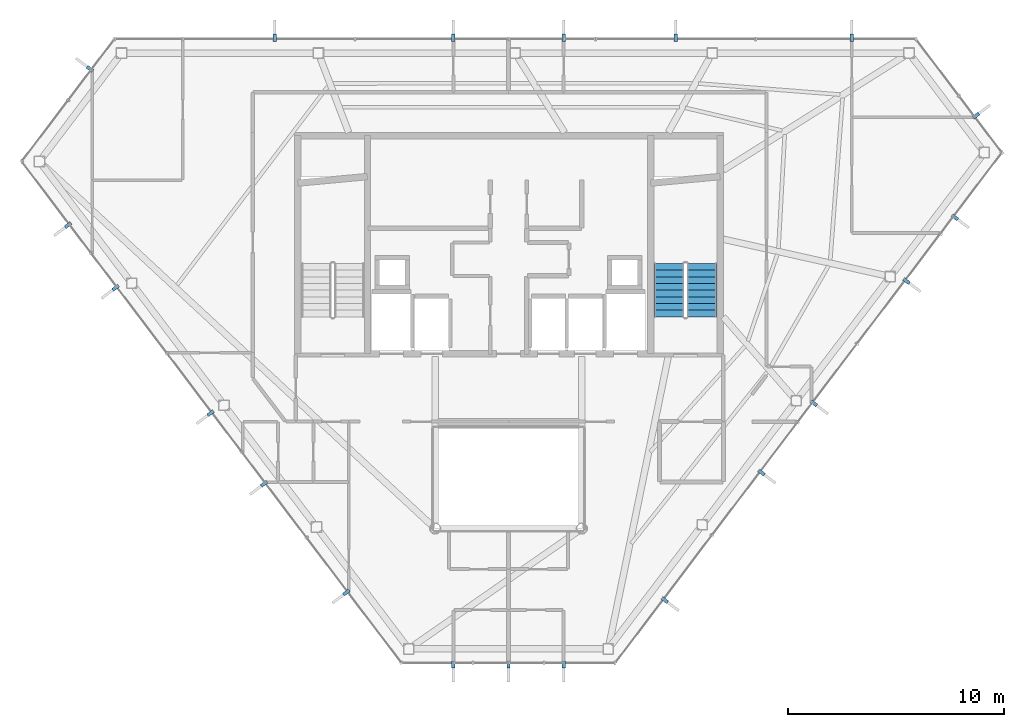
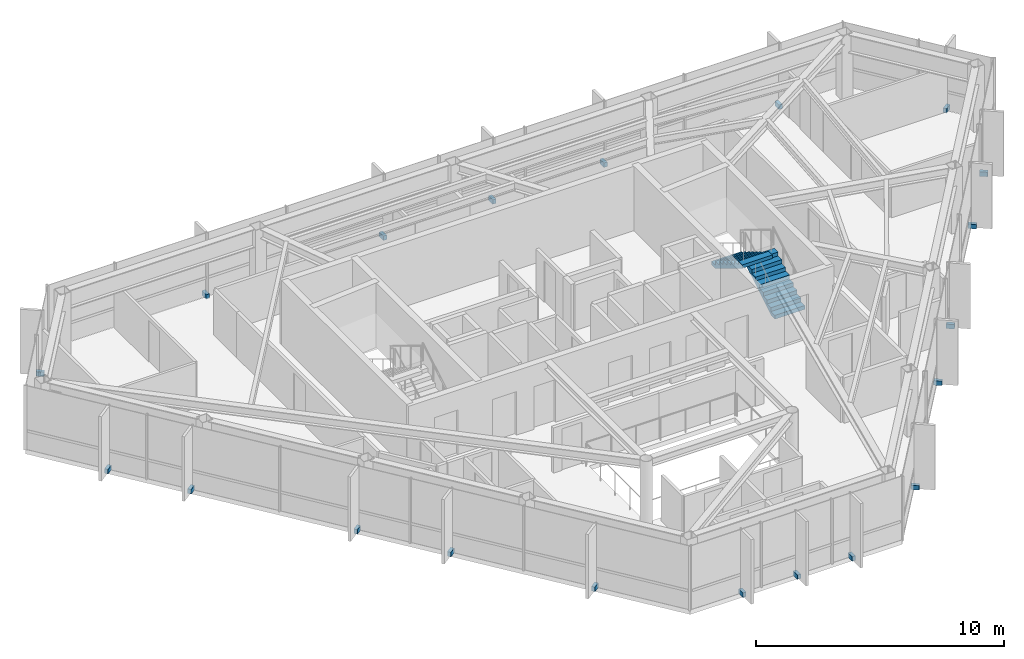
# One storey, part 24 of 25: 20 discrete accessories, 2 stair flights, 1 element without a shape of its own.
"""IFC4 building model written with IfcOpenShell, lengths in metres."""

from ifc_helpers import new_model, si_unit, direction, frame, origin, origin_2d, place, context, subcontext, project, spatial, polyline, rectangle, outline, extrude, material, type_object, element, aggregate, save


model = new_model("IFC4")

# Units and contexts
model_context = context("Model", 3, precision=1e-05, world=origin(), true_north=direction((0.0, 1.0)))
body_context = subcontext(model_context, "Body", "Model", "MODEL_VIEW")
ifc_project = project(units=[si_unit("LENGTHUNIT", "METRE"), si_unit("AREAUNIT", "SQUARE_METRE"), si_unit("VOLUMEUNIT", "CUBIC_METRE"), si_unit("PLANEANGLEUNIT", "RADIAN"), si_unit("MASSUNIT", "GRAM", prefix="KILO")], contexts=[model_context])

# Site, building, storey
site_placement = place(None, origin())
site = spatial("IfcSite", under=ifc_project, at=site_placement, CompositionType="ELEMENT")
building_placement = place(site_placement, origin())
building = spatial("IfcBuilding", under=site, at=building_placement, Name="Zarrinselat Tower", CompositionType="ELEMENT")
storey_placement = place(building_placement, frame((0.0, 0.0, 261.800048828125)))
storey = spatial("IfcBuildingStorey", under=building, at=storey_placement, Name="L66", CompositionType="ELEMENT", Elevation=261.800048828125)

# Stair, stair flights
ifc_material_1 = material(Name="Concrete C40/50", Category="concrete")
stair_type = type_object("IfcStairType", Name="STR-CORE-155", PredefinedType="HALF_TURN_STAIR", material=ifc_material_1)
stair_placement = place(storey_placement, origin())
stair = element("IfcStair", 1, at=stair_placement, inside=storey, type_object=stair_type, Name="L66 Core Exit Stair 2", PredefinedType="HALF_TURN_STAIR")
ifc_material_2 = material(Name="Concrete C40/50", Category="concrete")
stair_flight_type = type_object("IfcStairFlightType", Name="STR-FLT-155", PredefinedType="STRAIGHT", material=ifc_material_2)
stair_flight_1_placement = place(storey_placement, frame((47.360107421875, 35.0, 0.0), z_axis=(0.0, 0.0, 1.0), x_axis=(0.0, 1.0, 0.0)))
stair_flight_1 = element("IfcStairFlight", 2, at=stair_flight_1_placement, type_object=stair_flight_type, Name="ST-2 flight 1", NumberOfRisers=9, NumberOfTreads=8, PredefinedType="STRAIGHT", RiserHeight=0.188888889, TreadLength=0.31, context=body_context, shape_type="SweptSolid", body=[
    extrude(outline(polyline([(0.0, 0.0), (0.0, 0.18896484375), (0.31005859375, 0.18896484375), (0.31005859375, 0.377685546875), (0.6201171875, 0.377685546875), (0.6201171875, 0.566650390625), (0.929931640625, 0.566650390625), (0.929931640625, 0.755615234375), (1.239990234375, 0.755615234375), (1.239990234375, 0.9443359375), (1.550048828125, 0.9443359375), (1.550048828125, 1.13330078125), (1.860107421875, 1.13330078125), (1.860107421875, 1.322265625), (2.169921875, 1.322265625), (2.169921875, 1.51123046875), (2.47998046875, 1.51123046875), (2.47998046875, 1.699951171875), (2.47998046875, 1.335693359375), (0.2880859375, 0.0), (0.0, 0.0)])), frame((0.0, 0.699951171875, 0.0), z_axis=(0.0, -1.0, 0.0), x_axis=(1.0, 0.0, 0.0)), (0.0, 0.0, 1.0), 1.39990234375),
])
stair_flight_2_placement = place(storey_placement, frame((45.840087890625, 37.47998046875, 1.699951171875), z_axis=(0.0, 0.0, 1.0), x_axis=(0.0, -1.0, 0.0)))
stair_flight_2 = element("IfcStairFlight", 3, at=stair_flight_2_placement, type_object=stair_flight_type, Name="ST-2 flight 2", NumberOfRisers=9, NumberOfTreads=8, PredefinedType="STRAIGHT", RiserHeight=0.188888889, TreadLength=0.31, context=body_context, shape_type="SweptSolid", body=[
    extrude(outline(polyline([(0.0, 0.0), (0.0, 0.18896484375), (0.31005859375, 0.18896484375), (0.31005859375, 0.377685546875), (0.6201171875, 0.377685546875), (0.6201171875, 0.566650390625), (0.929931640625, 0.566650390625), (0.929931640625, 0.755615234375), (1.239990234375, 0.755615234375), (1.239990234375, 0.9443359375), (1.550048828125, 0.9443359375), (1.550048828125, 1.13330078125), (1.860107421875, 1.13330078125), (1.860107421875, 1.322265625), (2.169921875, 1.322265625), (2.169921875, 1.51123046875), (2.47998046875, 1.51123046875), (2.47998046875, 1.699951171875), (2.47998046875, 1.335693359375), (0.2880859375, 0.0), (0.0, 0.0)])), frame((0.0, 0.699951171875, 0.0), z_axis=(0.0, -1.0, 0.0), x_axis=(1.0, 0.0, 0.0)), (0.0, 0.0, 1.0), 1.39990234375),
])
aggregate(stair, [stair_flight_1, stair_flight_2])

# Discrete accessories
ifc_material_3 = material(Name="Steel S355J2", Category="steel")
discrete_accessory_type = type_object("IfcDiscreteAccessoryType", Name="ACC-FIN-BRACKET", PredefinedType="BRACKET", material=ifc_material_3)
for number, where, z_axis, x_axis, name in (
    (4, (54.301025390625, 47.936767578125, -0.0498046875), (0.0, 0.0, 1.0), (0.0, 1.0, 0.0), "L66 Fin Fixing Bracket CW-L66-E01-01"),
    (5, (46.13818359375, 47.936767578125, -0.0498046875), (0.0, 0.0, 1.0), (0.0, 1.0, 0.0), "L66 Fin Fixing Bracket CW-L66-E01-03"),
    (6, (40.949951171875, 47.936767578125, -0.0498046875), (0.0, 0.0, 1.0), (0.0, 1.0, 0.0), "L66 Fin Fixing Bracket CW-L66-E01-05"),
    (7, (35.85009765625, 47.936767578125, -0.0498046875), (0.0, 0.0, 1.0), (0.0, 1.0, 0.0), "L66 Fin Fixing Bracket CW-L66-E01-07"),
    (8, (27.57763671875, 47.936767578125, -0.0498046875), (0.0, 0.0, 1.0), (0.0, 1.0, 0.0), "L66 Fin Fixing Bracket CW-L66-E01-09"),
    (9, (19.01806640625, 46.48388671875, -0.0498046875), (0.0, 0.0, 1.0), (-0.797094404793, 0.60385470922, 0.0), "L66 Fin Fixing Bracket CW-L66-E02-01"),
    (10, (18.00390625, 39.253662109375, -0.0498046875), (0.0, 0.0, 1.0), (-0.797091697694, -0.603858282603, 0.0), "L66 Fin Fixing Bracket CW-L66-E03-01"),
    (11, (20.20361328125, 36.35009765625, -0.0498046875), (0.0, 0.0, 1.0), (-0.797091697694, -0.603858282603, 0.0), "L66 Fin Fixing Bracket CW-L66-E03-03"),
    (12, (24.602783203125, 30.54296875, -0.0498046875), (0.0, 0.0, 1.0), (-0.797091697694, -0.603858282603, 0.0), "L66 Fin Fixing Bracket CW-L66-E03-05"),
    (13, (27.081298828125, 27.271484375, -0.0498046875), (0.0, 0.0, 1.0), (-0.797091697694, -0.603858282603, 0.0), "L66 Fin Fixing Bracket CW-L66-E03-07"),
    (14, (30.894287109375, 22.23828125, -0.0498046875), (0.0, 0.0, 1.0), (-0.797091697694, -0.603858282603, 0.0), "L66 Fin Fixing Bracket CW-L66-E03-09"),
    (15, (35.85009765625, 18.901123046875, -0.0498046875), (0.0, 0.0, 1.0), (0.0, -1.0, 0.0), "L66 Fin Fixing Bracket CW-L66-E04-01"),
    (16, (38.39990234375, 18.901123046875, -0.0498046875), (0.0, 0.0, 1.0), (0.0, -1.0, 0.0), "L66 Fin Fixing Bracket CW-L66-E04-03"),
    (17, (40.949951171875, 18.901123046875, -0.0498046875), (0.0, 0.0, 1.0), (0.0, -1.0, 0.0), "L66 Fin Fixing Bracket CW-L66-E04-05"),
    (18, (45.637451171875, 21.884033203125, -0.0498046875), (0.0, 0.0, 1.0), (0.7970907221, -0.603859570382, 0.0), "L66 Fin Fixing Bracket CW-L66-E05-01"),
    (19, (50.115234375, 27.794921875, -0.0498046875), (0.0, 0.0, 1.0), (0.7970907221, -0.603859570382, 0.0), "L66 Fin Fixing Bracket CW-L66-E05-03"),
    (20, (52.54296875, 30.99951171875, -0.0498046875), (0.0, 0.0, 1.0), (0.7970907221, -0.603859570382, 0.0), "L66 Fin Fixing Bracket CW-L66-E05-05"),
    (21, (56.83203125, 36.660888671875, -0.0498046875), (0.0, 0.0, 1.0), (0.7970907221, -0.603859570382, 0.0), "L66 Fin Fixing Bracket CW-L66-E05-07"),
    (22, (59.07080078125, 39.6162109375, -0.0498046875), (0.0, 0.0, 1.0), (0.7970907221, -0.603859570382, 0.0), "L66 Fin Fixing Bracket CW-L66-E05-09"),
    (23, (60.051513671875, 44.3173828125, -0.0498046875), (0.0, 0.0, 1.0), (0.797091705482, 0.603858272322, 0.0), "L66 Fin Fixing Bracket CW-L66-E06-01"),
):
    element("IfcDiscreteAccessory", number, at=place(storey_placement, frame(where, z_axis=z_axis, x_axis=x_axis)), inside=storey, type_object=discrete_accessory_type, Name=name, PredefinedType="BRACKET", context=body_context, shape_type="SweptSolid", body=[
        extrude(rectangle(XDim=0.340087890625, YDim=0.159912109375, at=origin_2d()), origin(), (0.0, 0.0, 1.0), 0.219970703125),
    ])

save(model, "model.ifc")
